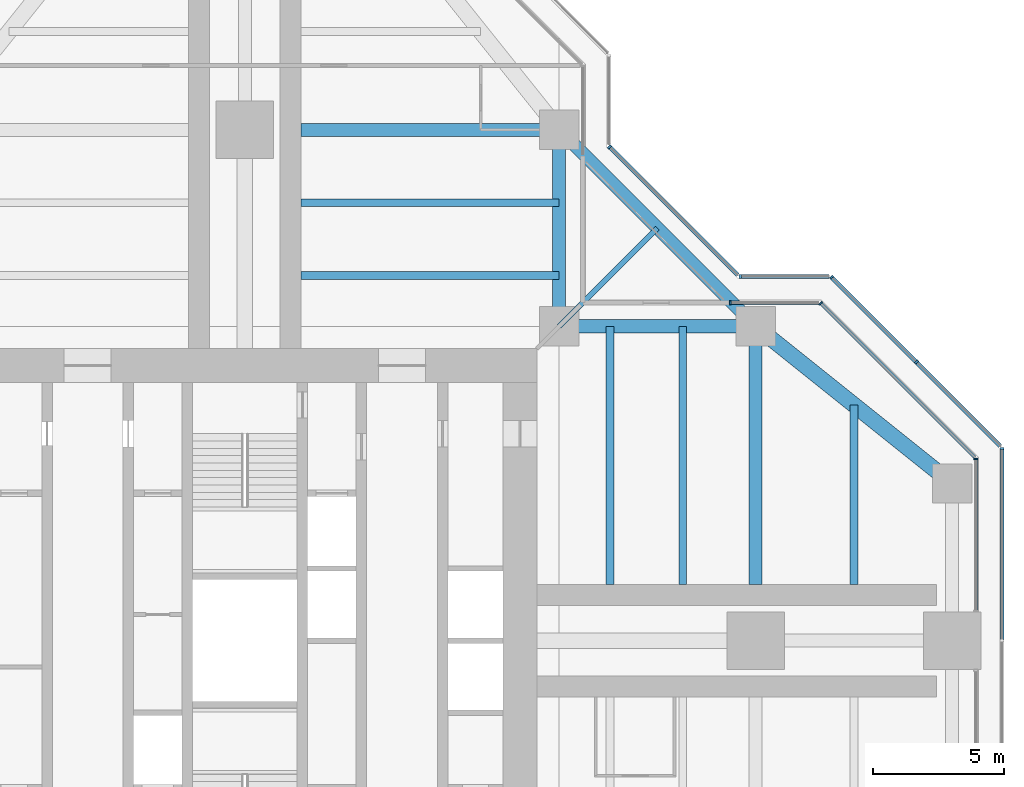
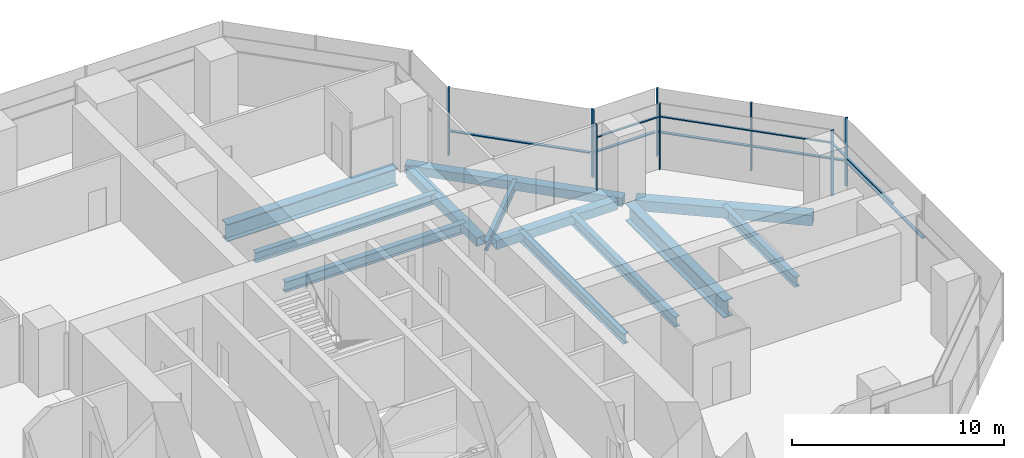
# One storey, part 8 of 17: 16 members, 12 beams, 7 elements without a shape of their own.
"""IFC4 building model written with IfcOpenShell, lengths in metres."""

from ifc_helpers import new_model, si_unit, direction, frame, origin, origin_2d, place, context, subcontext, project, spatial, rectangle, hollow_rectangle, i_section, extrude, material, material_profile, profile_set, type_object, element, aggregate, save


model = new_model("IFC4")

# Units and contexts
model_context = context("Model", 3, precision=1e-05, world=origin(), true_north=direction((0.0, 1.0)))
body_context = subcontext(model_context, "Body", "Model", "MODEL_VIEW")
ifc_project = project(units=[si_unit("LENGTHUNIT", "METRE"), si_unit("AREAUNIT", "SQUARE_METRE"), si_unit("VOLUMEUNIT", "CUBIC_METRE"), si_unit("PLANEANGLEUNIT", "RADIAN"), si_unit("MASSUNIT", "GRAM", prefix="KILO")], contexts=[model_context])

# Site, building, storey
site_placement = place(None, origin())
site = spatial("IfcSite", under=ifc_project, at=site_placement, CompositionType="ELEMENT")
building_placement = place(site_placement, origin())
building = spatial("IfcBuilding", under=site, at=building_placement, Name="Mizan Broadcast Tower", CompositionType="ELEMENT")
storey_placement = place(building_placement, frame((0.0, 0.0, 224.39990234375)))
storey = spatial("IfcBuildingStorey", under=building, at=storey_placement, Name="L52", CompositionType="ELEMENT", Elevation=224.39990234375)

# Beams
ifc_material_1 = material(Name="Steel S355", Category="steel")
ifc_material_profile_1 = material_profile(ifc_material_1, hollow_rectangle(XDim=0.5, YDim=0.5, WallThickness=0.030029296875, at=origin_2d()), Name="BOX 500x500x30")
ifc_profile_set_1 = profile_set([ifc_material_profile_1], Name="Steel S355")
beam_type_1 = type_object("IfcBeamType", Name="EDGE BEAM BOX 500x500x30", PredefinedType="SPANDREL", material=ifc_profile_set_1)
for number, where, z_axis, x_axis, name in (
    (1, (12.449951171875, 12.0, -0.3798828125), (1.0, 0.0, 0.0), (0.0, 1.0, 0.0), "Edge beam BOX 500x500x30 L52 east arm"),
    (2, (12.0, 12.449951171875, -0.3798828125), (0.0, 1.0, 0.0), (-1.0, 0.0, 0.0), "Edge beam BOX 500x500x30 L52 north arm"),
):
    element("IfcBeam", number, at=place(storey_placement, frame(where, z_axis=z_axis, x_axis=x_axis)), inside=storey, type_object=beam_type_1, Name=name, PredefinedType="SPANDREL", context=body_context, shape_type="SweptSolid", body=[
        extrude(hollow_rectangle(XDim=0.5, YDim=0.5, WallThickness=0.030029296875, at=origin_2d()), origin(), (0.0, 0.0, 1.0), 6.60009765625),
    ])
beam_1_placement = place(storey_placement, frame((19.5, 12.0, -0.3798828125), z_axis=(-0.707106781187, 0.707106781187, 0.0), x_axis=(-0.707106781187, -0.707106781187, 0.0)))
element("IfcBeam", 3, at=beam_1_placement, inside=storey, type_object=beam_type_1, Name="Winter garden edge beam L52 E", PredefinedType="SPANDREL", context=body_context, shape_type="SweptSolid", body=[
    extrude(hollow_rectangle(XDim=0.5, YDim=0.5, WallThickness=0.030029296875, at=origin_2d()), origin(), (0.0, 0.0, 1.0), 10.606689453125),
])
ifc_material_2 = material(Name="Steel S355", Category="steel")
ifc_material_profile_2 = material_profile(ifc_material_2, hollow_rectangle(XDim=0.60009765625, YDim=0.60009765625, WallThickness=0.030029296875, at=origin_2d()), Name="BOX 600x600x30")
ifc_profile_set_2 = profile_set([ifc_material_profile_2], Name="Steel S355")
beam_type_2 = type_object("IfcBeamType", Name="EDGE BEAM BOX 600x600x30", PredefinedType="SPANDREL", material=ifc_profile_set_2)
beam_2_placement = place(storey_placement, frame((19.949951171875, 11.639892578125, -0.429931640625), z_axis=(0.780885717636, -0.624673911726, 0.0), x_axis=(0.624673911726, 0.780885717636, 0.0)))
element("IfcBeam", 4, at=beam_2_placement, inside=storey, type_object=beam_type_2, Name="Edge beam BOX 600x600x30 L52 east arm", PredefinedType="SPANDREL", context=body_context, shape_type="SweptSolid", body=[
    extrude(hollow_rectangle(XDim=0.60009765625, YDim=0.60009765625, WallThickness=0.030029296875, at=origin_2d()), origin(), (0.0, 0.0, 1.0), 8.4521484375),
])
ifc_material_3 = material(Name="Steel S460", Category="steel")
ifc_material_profile_3 = material_profile(ifc_material_3, i_section(OverallWidth=0.5, OverallDepth=1.0, WebThickness=0.02490234375, FlangeThickness=0.050048828125, at=origin_2d()), Name="WPG 1000x500")
ifc_profile_set_3 = profile_set([ifc_material_profile_3], Name="Steel S460")
beam_type_3 = type_object("IfcBeamType", Name="GIRDER WPG 1000x500", PredefinedType="BEAM", material=ifc_profile_set_3)
for number, where, z_axis, x_axis, name in (
    (5, (19.5, 11.408935546875, -0.6298828125), (0.0, -1.0, 0.0), (1.0, 0.0, 0.0), "Girder WPG 1000x500 L52 east arm"),
    (6, (11.408935546875, 19.5, -0.6298828125), (-1.0, 0.0, 0.0), (0.0, -1.0, 0.0), "Girder WPG 1000x500 L52 north arm"),
):
    element("IfcBeam", number, at=place(storey_placement, frame(where, z_axis=z_axis, x_axis=x_axis)), inside=storey, type_object=beam_type_3, Name=name, PredefinedType="BEAM", context=body_context, shape_type="SweptSolid", body=[
        extrude(i_section(OverallWidth=0.5, OverallDepth=1.0, WebThickness=0.02490234375, FlangeThickness=0.050048828125, at=origin_2d()), origin(), (0.0, 0.0, 1.0), 9.259033203125),
    ])

# Curtain wall, member
ifc_material_4 = material(Name="Aluminium framed glazing", Category="aluminium")
curtain_wall_type_1 = type_object("IfcCurtainWallType", Name="INNER SKIN HIGH ZONE", PredefinedType="USERDEFINED", material=ifc_material_4)
curtain_wall_1_placement = place(storey_placement, origin())
curtain_wall_1 = element("IfcCurtainWall", 7, at=curtain_wall_1_placement, inside=storey, type_object=curtain_wall_type_1, Name="Inner skin high zone L52 E end", ObjectType="INNER SKIN HIGH ZONE", PredefinedType="USERDEFINED")
ifc_material_5 = material(Name="Aluminium, pale anodised", Category="aluminium")
ifc_material_profile_4 = material_profile(ifc_material_5, rectangle(XDim=0.159912109375, YDim=0.06005859375, at=origin_2d()), Name="MULLION 160x60")
ifc_profile_set_4 = profile_set([ifc_material_profile_4], Name="Aluminium, pale anodised")
member_type_1 = type_object("IfcMemberType", Name="INNER SKIN MULLION 60x160", PredefinedType="MULLION", material=ifc_profile_set_4)
member_1_placement = place(storey_placement, frame((27.89990234375, 6.928466796875, 0.0), z_axis=(0.0, 0.0, 1.0), x_axis=(-1.0, 0.0, 0.0)))
member_1 = element("IfcMember", 8, at=member_1_placement, type_object=member_type_1, Name="Inner skin high zone L52 E end mullion 2", PredefinedType="MULLION", context=body_context, shape_type="SweptSolid", body=[
    extrude(rectangle(XDim=0.159912109375, YDim=0.06005859375, at=origin_2d()), origin(), (0.0, 0.0, 1.0), 3.77001953125),
])

curtain_wall_2_placement = place(storey_placement, origin())
curtain_wall_2 = element("IfcCurtainWall", 9, at=curtain_wall_2_placement, inside=storey, type_object=curtain_wall_type_1, Name="Inner skin high zone L52 E chamfer", ObjectType="INNER SKIN HIGH ZONE", PredefinedType="USERDEFINED")
member_2_placement = place(storey_placement, frame((21.979736328125, 12.87890625, 0.0), z_axis=(0.0, 0.0, 1.0), x_axis=(-0.707106781187, -0.707106781187, 0.0)))
member_2 = element("IfcMember", 10, at=member_2_placement, type_object=member_type_1, Name="Inner skin high zone L52 E chamfer mullion 2", PredefinedType="MULLION", context=body_context, shape_type="SweptSolid", body=[
    extrude(rectangle(XDim=0.159912109375, YDim=0.06005859375, at=origin_2d()), origin(), (0.0, 0.0, 1.0), 3.77001953125),
])

curtain_wall_3_placement = place(storey_placement, origin())
curtain_wall_3 = element("IfcCurtainWall", 11, at=curtain_wall_3_placement, inside=storey, type_object=curtain_wall_type_1, Name="Inner skin high zone L52 E side", ObjectType="INNER SKIN HIGH ZONE", PredefinedType="USERDEFINED")
member_3_placement = place(storey_placement, frame((18.530029296875, 12.89990234375, 0.0), z_axis=(0.0, 0.0, 1.0), x_axis=(0.0, -1.0, 0.0)))
member_3 = element("IfcMember", 12, at=member_3_placement, type_object=member_type_1, Name="Inner skin high zone L52 E side mullion 2", PredefinedType="MULLION", context=body_context, shape_type="SweptSolid", body=[
    extrude(rectangle(XDim=0.159912109375, YDim=0.06005859375, at=origin_2d()), origin(), (0.0, 0.0, 1.0), 3.77001953125),
])

# Member
ifc_material_6 = material(Name="Aluminium, pale anodised", Category="aluminium")
ifc_material_profile_5 = material_profile(ifc_material_6, rectangle(XDim=0.1201171875, YDim=0.06005859375, at=origin_2d()), Name="TRANSOM 120x60")
ifc_profile_set_5 = profile_set([ifc_material_profile_5], Name="Aluminium, pale anodised")
member_type_2 = type_object("IfcMemberType", Name="INNER SKIN TRANSOM 60x120", PredefinedType="USERDEFINED", material=ifc_profile_set_5)
member_4_placement = place(storey_placement, frame((27.89990234375, 1.159912109375, 3.030029296875), z_axis=(0.0, 1.0, 0.0), x_axis=(-1.0, 0.0, 0.0)))
member_4 = element("IfcMember", 13, at=member_4_placement, type_object=member_type_2, Name="Inner skin high zone L52 E end transom 1.1", ObjectType="TRANSOM", PredefinedType="USERDEFINED", context=body_context, shape_type="SweptSolid", body=[
    extrude(rectangle(XDim=0.1201171875, YDim=0.06005859375, at=origin_2d()), origin(), (0.0, 0.0, 1.0), 5.73876953125),
])

aggregate(curtain_wall_1, [member_1, member_4])

member_5_placement = place(storey_placement, frame((27.857666015625, 7.0009765625, 3.030029296875), z_axis=(-0.707106781187, 0.707106781187, 0.0), x_axis=(-0.707106781187, -0.707106781187, 0.0)))
member_5 = element("IfcMember", 14, at=member_5_placement, type_object=member_type_2, Name="Inner skin high zone L52 E chamfer transom 1.1", ObjectType="TRANSOM", PredefinedType="USERDEFINED", context=body_context, shape_type="SweptSolid", body=[
    extrude(rectangle(XDim=0.1201171875, YDim=0.06005859375, at=origin_2d()), origin(), (0.0, 0.0, 1.0), 8.28271484375),
])

aggregate(curtain_wall_2, [member_2, member_5])

member_6_placement = place(storey_placement, frame((21.898681640625, 12.89990234375, 3.030029296875), z_axis=(-1.0, 0.0, 0.0), x_axis=(0.0, -1.0, 0.0)))
member_6 = element("IfcMember", 15, at=member_6_placement, type_object=member_type_2, Name="Inner skin high zone L52 E side transom 1.1", ObjectType="TRANSOM", PredefinedType="USERDEFINED", context=body_context, shape_type="SweptSolid", body=[
    extrude(rectangle(XDim=0.1201171875, YDim=0.06005859375, at=origin_2d()), origin(), (0.0, 0.0, 1.0), 3.338623046875),
])

aggregate(curtain_wall_3, [member_3, member_6])

# Curtain wall, member
ifc_material_7 = material(Name="Aluminium framed glazing", Category="aluminium")
curtain_wall_type_2 = type_object("IfcCurtainWallType", Name="OUTER SKIN", PredefinedType="USERDEFINED", material=ifc_material_7)
curtain_wall_4_placement = place(storey_placement, origin())
curtain_wall_4 = element("IfcCurtainWall", 16, at=curtain_wall_4_placement, inside=storey, type_object=curtain_wall_type_2, Name="Outer skin L52 E end", ObjectType="OUTER SKIN", PredefinedType="USERDEFINED")
ifc_material_8 = material(Name="Aluminium, pale anodised", Category="aluminium")
ifc_material_profile_6 = material_profile(ifc_material_8, rectangle(XDim=0.159912109375, YDim=0.080078125, at=origin_2d()), Name="MULLION 160x80")
ifc_profile_set_6 = profile_set([ifc_material_profile_6], Name="Aluminium, pale anodised")
member_type_3 = type_object("IfcMemberType", Name="OUTER SKIN MULLION 80x160", PredefinedType="MULLION", material=ifc_profile_set_6)
member_7_placement = place(storey_placement, frame((28.89990234375, 7.332763671875, 0.0), z_axis=(0.0, 0.0, 1.0), x_axis=(-1.0, 0.0, 0.0)))
member_7 = element("IfcMember", 17, at=member_7_placement, type_object=member_type_3, Name="Outer skin L52 E end mullion 3", PredefinedType="MULLION", context=body_context, shape_type="SweptSolid", body=[
    extrude(rectangle(XDim=0.159912109375, YDim=0.080078125, at=origin_2d()), origin(), (0.0, 0.0, 1.0), 3.900146484375),
])

# Curtain wall, members
curtain_wall_5_placement = place(storey_placement, origin())
curtain_wall_5 = element("IfcCurtainWall", 18, at=curtain_wall_5_placement, inside=storey, type_object=curtain_wall_type_2, Name="Outer skin L52 E chamfer", ObjectType="OUTER SKIN", PredefinedType="USERDEFINED")
member_8_placement = place(storey_placement, frame((25.636474609375, 10.636474609375, 0.0), z_axis=(0.0, 0.0, 1.0), x_axis=(-0.707106781187, -0.707106781187, 0.0)))
member_8 = element("IfcMember", 19, at=member_8_placement, type_object=member_type_3, Name="Outer skin L52 E chamfer mullion 2", PredefinedType="MULLION", context=body_context, shape_type="SweptSolid", body=[
    extrude(rectangle(XDim=0.159912109375, YDim=0.080078125, at=origin_2d()), origin(), (0.0, 0.0, 1.0), 3.900146484375),
])
member_9_placement = place(storey_placement, frame((22.401123046875, 13.871826171875, 0.0), z_axis=(0.0, 0.0, 1.0), x_axis=(-0.707106781187, -0.707106781187, 0.0)))
member_9 = element("IfcMember", 20, at=member_9_placement, type_object=member_type_3, Name="Outer skin L52 E chamfer mullion 3", PredefinedType="MULLION", context=body_context, shape_type="SweptSolid", body=[
    extrude(rectangle(XDim=0.159912109375, YDim=0.080078125, at=origin_2d()), origin(), (0.0, 0.0, 1.0), 3.900146484375),
])

# Curtain wall, member
curtain_wall_6_placement = place(storey_placement, origin())
curtain_wall_6 = element("IfcCurtainWall", 21, at=curtain_wall_6_placement, inside=storey, type_object=curtain_wall_type_2, Name="Outer skin L52 E side", ObjectType="OUTER SKIN", PredefinedType="USERDEFINED")
member_10_placement = place(storey_placement, frame((18.912841796875, 13.89990234375, 0.0), z_axis=(0.0, 0.0, 1.0), x_axis=(0.0, -1.0, 0.0)))
member_10 = element("IfcMember", 22, at=member_10_placement, type_object=member_type_3, Name="Outer skin L52 E side mullion 2", PredefinedType="MULLION", context=body_context, shape_type="SweptSolid", body=[
    extrude(rectangle(XDim=0.159912109375, YDim=0.080078125, at=origin_2d()), origin(), (0.0, 0.0, 1.0), 3.900146484375),
])

curtain_wall_7_placement = place(storey_placement, origin())
curtain_wall_7 = element("IfcCurtainWall", 23, at=curtain_wall_7_placement, inside=storey, type_object=curtain_wall_type_2, Name="Outer skin L52 E chamfer", ObjectType="OUTER SKIN", PredefinedType="USERDEFINED")
member_11_placement = place(storey_placement, frame((13.92822265625, 18.844482421875, 0.0), z_axis=(0.0, 0.0, 1.0), x_axis=(-0.707106781187, -0.707106781187, 0.0)))
member_11 = element("IfcMember", 24, at=member_11_placement, type_object=member_type_3, Name="Outer skin L52 E chamfer mullion 2", PredefinedType="MULLION", context=body_context, shape_type="SweptSolid", body=[
    extrude(rectangle(XDim=0.159912109375, YDim=0.080078125, at=origin_2d()), origin(), (0.0, 0.0, 1.0), 3.900146484375),
])

# Member
ifc_material_9 = material(Name="Aluminium, pale anodised", Category="aluminium")
ifc_material_profile_7 = material_profile(ifc_material_9, rectangle(XDim=0.159912109375, YDim=0.06005859375, at=origin_2d()), Name="TRANSOM 160x60")
ifc_profile_set_7 = profile_set([ifc_material_profile_7], Name="Aluminium, pale anodised")
member_type_4 = type_object("IfcMemberType", Name="OUTER SKIN TRANSOM 60x160", PredefinedType="USERDEFINED", material=ifc_profile_set_7)
member_12_placement = place(storey_placement, frame((28.89990234375, 0.0400390625, 1.400146484375), z_axis=(0.0, 1.0, 0.0), x_axis=(-1.0, 0.0, 0.0)))
member_12 = element("IfcMember", 25, at=member_12_placement, type_object=member_type_4, Name="Outer skin L52 E end transom 2.1", ObjectType="TRANSOM", PredefinedType="USERDEFINED", context=body_context, shape_type="SweptSolid", body=[
    extrude(rectangle(XDim=0.159912109375, YDim=0.06005859375, at=origin_2d()), origin(), (0.0, 0.0, 1.0), 7.252685546875),
])

aggregate(curtain_wall_4, [member_7, member_12])

member_13_placement = place(storey_placement, frame((28.843505859375, 7.429443359375, 1.400146484375), z_axis=(-0.707106781187, 0.707106781187, 0.0), x_axis=(-0.707106781187, -0.707106781187, 0.0)))
member_13 = element("IfcMember", 26, at=member_13_placement, type_object=member_type_4, Name="Outer skin L52 E chamfer transom 1.1", ObjectType="TRANSOM", PredefinedType="USERDEFINED", context=body_context, shape_type="SweptSolid", body=[
    extrude(rectangle(XDim=0.159912109375, YDim=0.06005859375, at=origin_2d()), origin(), (0.0, 0.0, 1.0), 4.495361328125),
])

member_14_placement = place(storey_placement, frame((25.608154296875, 10.664794921875, 1.400146484375), z_axis=(-0.707106781187, 0.707106781187, 0.0), x_axis=(-0.707106781187, -0.707106781187, 0.0)))
member_14 = element("IfcMember", 27, at=member_14_placement, type_object=member_type_4, Name="Outer skin L52 E chamfer transom 2.1", ObjectType="TRANSOM", PredefinedType="USERDEFINED", context=body_context, shape_type="SweptSolid", body=[
    extrude(rectangle(XDim=0.159912109375, YDim=0.06005859375, at=origin_2d()), origin(), (0.0, 0.0, 1.0), 4.495361328125),
])

aggregate(curtain_wall_5, [member_8, member_9, member_13, member_14])

member_15_placement = place(storey_placement, frame((22.292724609375, 13.89990234375, 1.400146484375), z_axis=(-1.0, 0.0, 0.0), x_axis=(0.0, -1.0, 0.0)))
member_15 = element("IfcMember", 28, at=member_15_placement, type_object=member_type_4, Name="Outer skin L52 E side transom 1.1", ObjectType="TRANSOM", PredefinedType="USERDEFINED", context=body_context, shape_type="SweptSolid", body=[
    extrude(rectangle(XDim=0.159912109375, YDim=0.06005859375, at=origin_2d()), origin(), (0.0, 0.0, 1.0), 3.33984375),
])

aggregate(curtain_wall_6, [member_10, member_15])

member_16_placement = place(storey_placement, frame((18.816162109375, 13.95654296875, 1.400146484375), z_axis=(-0.707106781187, 0.707106781187, 0.0), x_axis=(-0.707106781187, -0.707106781187, 0.0)))
member_16 = element("IfcMember", 29, at=member_16_placement, type_object=member_type_4, Name="Outer skin L52 E chamfer transom 1.1", ObjectType="TRANSOM", PredefinedType="USERDEFINED", context=body_context, shape_type="SweptSolid", body=[
    extrude(rectangle(XDim=0.159912109375, YDim=0.06005859375, at=origin_2d()), origin(), (0.0, 0.0, 1.0), 6.87255859375),
])

aggregate(curtain_wall_7, [member_11, member_16])

# Beams
ifc_material_10 = material(Name="Steel S355", Category="steel")
ifc_material_profile_8 = material_profile(ifc_material_10, i_section(OverallWidth=0.300048828125, OverallDepth=0.590087890625, WebThickness=0.012939453125, FlangeThickness=0.02490234375, FilletRadius=0.027099609375, at=origin_2d()), Name="HEA 600")
ifc_profile_set_8 = profile_set([ifc_material_profile_8], Name="Steel S355")
beam_type_4 = type_object("IfcBeamType", Name="SECONDARY BEAM HEA 600", PredefinedType="JOIST", material=ifc_profile_set_8)
for number, where, z_axis, x_axis, name in (
    (30, (13.933349609375, 12.0, -0.4248046875), (0.0, -1.0, 0.0), (1.0, 0.0, 0.0), "Secondary beam HEA 600 L52 east arm"),
    (31, (16.716552734375, 12.0, -0.4248046875), (0.0, -1.0, 0.0), (1.0, 0.0, 0.0), "Secondary beam HEA 600 L52 east arm"),
):
    element("IfcBeam", number, at=place(storey_placement, frame(where, z_axis=z_axis, x_axis=x_axis)), inside=storey, type_object=beam_type_4, Name=name, PredefinedType="JOIST", context=body_context, shape_type="SweptSolid", body=[
        extrude(i_section(OverallWidth=0.300048828125, OverallDepth=0.590087890625, WebThickness=0.012939453125, FlangeThickness=0.02490234375, FilletRadius=0.027099609375, at=origin_2d()), origin(), (0.0, 0.0, 1.0), 9.85009765625),
    ])
beam_3_placement = place(storey_placement, frame((23.25, 9.0, -0.4248046875), z_axis=(0.0, -1.0, 0.0), x_axis=(1.0, 0.0, 0.0)))
element("IfcBeam", 32, at=beam_3_placement, inside=storey, type_object=beam_type_4, Name="Secondary beam HEA 600 L52 east arm", PredefinedType="JOIST", context=body_context, shape_type="SweptSolid", body=[
    extrude(i_section(OverallWidth=0.300048828125, OverallDepth=0.590087890625, WebThickness=0.012939453125, FlangeThickness=0.02490234375, FilletRadius=0.027099609375, at=origin_2d()), origin(), (0.0, 0.0, 1.0), 6.85009765625),
])
for number, where, z_axis, x_axis, name in (
    (33, (12.0, 13.933349609375, -0.4248046875), (-1.0, 0.0, 0.0), (0.0, -1.0, 0.0), "Secondary beam HEA 600 L52 north arm"),
    (34, (12.0, 16.716552734375, -0.4248046875), (-1.0, 0.0, 0.0), (0.0, -1.0, 0.0), "Secondary beam HEA 600 L52 north arm"),
):
    element("IfcBeam", number, at=place(storey_placement, frame(where, z_axis=z_axis, x_axis=x_axis)), inside=storey, type_object=beam_type_4, Name=name, PredefinedType="JOIST", context=body_context, shape_type="SweptSolid", body=[
        extrude(i_section(OverallWidth=0.300048828125, OverallDepth=0.590087890625, WebThickness=0.012939453125, FlangeThickness=0.02490234375, FilletRadius=0.027099609375, at=origin_2d()), origin(), (0.0, 0.0, 1.0), 9.85009765625),
    ])
ifc_material_11 = material(Name="Steel S355", Category="steel")
ifc_material_profile_9 = material_profile(ifc_material_11, i_section(OverallWidth=0.2099609375, OverallDepth=0.550048828125, WebThickness=0.010986328125, FlangeThickness=0.01708984375, FilletRadius=0.02392578125, at=origin_2d()), Name="IPE 550")
ifc_profile_set_9 = profile_set([ifc_material_profile_9], Name="Steel S355")
beam_type_5 = type_object("IfcBeamType", Name="SECONDARY BEAM IPE 550", PredefinedType="JOIST", material=ifc_profile_set_9)
beam_4_placement = place(storey_placement, frame((12.0, 12.0, -0.40478515625), z_axis=(0.707106781187, 0.707106781187, 0.0), x_axis=(-0.707106781187, 0.707106781187, 0.0)))
element("IfcBeam", 35, at=beam_4_placement, inside=storey, type_object=beam_type_5, Name="Winter garden beam L52 E", PredefinedType="JOIST", context=body_context, shape_type="SweptSolid", body=[
    extrude(i_section(OverallWidth=0.2099609375, OverallDepth=0.550048828125, WebThickness=0.010986328125, FlangeThickness=0.01708984375, FilletRadius=0.02392578125, at=origin_2d()), origin(), (0.0, 0.0, 1.0), 5.30322265625),
])

save(model, "model.ifc")
